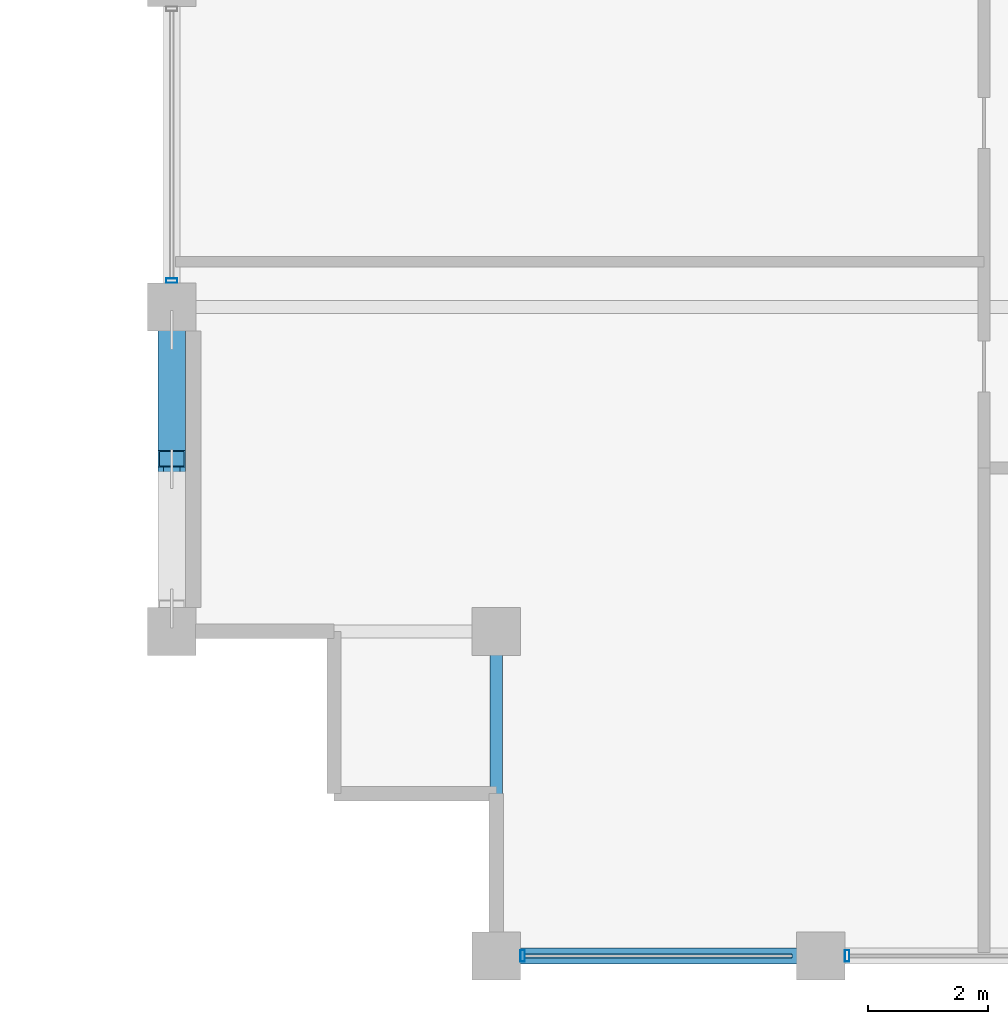
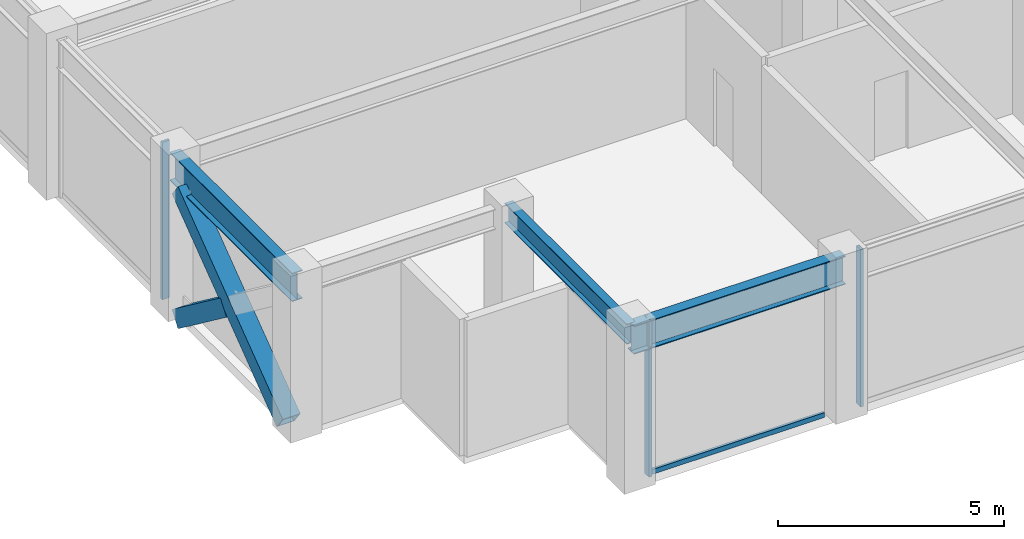
# One storey, part 2 of 28: 6 members, 3 beams, 2 elements without a shape of their own.
"""IFC4 building model written with IfcOpenShell, lengths in metres."""

from ifc_helpers import new_model, si_unit, direction, frame, origin, origin_2d, place, context, subcontext, project, spatial, hollow_rectangle, i_section, extrude, material, layer, layer_set, material_profile, profile_set, type_object, element, aggregate, save


model = new_model("IFC4")

# Units and contexts
model_context = context("Model", 3, precision=1e-05, world=origin(), true_north=direction((0.0, 1.0)))
body_context = subcontext(model_context, "Body", "Model", "MODEL_VIEW")
ifc_project = project(units=[si_unit("LENGTHUNIT", "METRE"), si_unit("AREAUNIT", "SQUARE_METRE"), si_unit("VOLUMEUNIT", "CUBIC_METRE"), si_unit("PLANEANGLEUNIT", "RADIAN"), si_unit("MASSUNIT", "GRAM", prefix="KILO")], contexts=[model_context])

# Site, building, storey
site_placement = place(None, origin())
site = spatial("IfcSite", under=ifc_project, at=site_placement, CompositionType="ELEMENT")
building_placement = place(site_placement, origin())
building = spatial("IfcBuilding", under=site, at=building_placement, Name="Surkhivell Harbour Commons", CompositionType="ELEMENT")
storey_placement = place(building_placement, frame((0.0, 0.0, 249.75)))
storey = spatial("IfcBuildingStorey", under=building, at=storey_placement, Name="L65", CompositionType="ELEMENT", Elevation=249.75)

# Beams
ifc_material_1 = material(Name="Steel S355", Category="steel")
ifc_material_profile_1 = material_profile(ifc_material_1, i_section(OverallWidth=0.2119140625, OverallDepth=0.5439453125, WebThickness=0.0126953125, FlangeThickness=0.021240234375, at=origin_2d()), Name="UB533x210x122")
ifc_profile_set_1 = profile_set([ifc_material_profile_1], Name="Steel S355")
beam_type_1 = type_object("IfcBeamType", Name="BM-GRD-533A", PredefinedType="BEAM", material=ifc_profile_set_1)
beam_1_placement = place(storey_placement, frame((-21.60009765625, -21.60009765625, 3.97802734375), z_axis=(0.0, 1.0, 0.0), x_axis=(-1.0, 0.0, 0.0)))
element("IfcBeam", 1, at=beam_1_placement, inside=storey, type_object=beam_type_1, Name="L65 Floor Girder (-21.6,-21.6)", PredefinedType="BEAM", context=body_context, shape_type="SweptSolid", body=[
    extrude(i_section(OverallWidth=0.2119140625, OverallDepth=0.5439453125, WebThickness=0.0126953125, FlangeThickness=0.021240234375, at=origin_2d()), origin(), (0.0, 0.0, 1.0), 5.400146484375),
])
ifc_material_profile_2 = material_profile(ifc_material_1, i_section(OverallWidth=0.26806640625, OverallDepth=0.77001953125, WebThickness=0.015625, FlangeThickness=0.025390625, at=origin_2d()), Name="UB762x267x197")
ifc_profile_set_2 = profile_set([ifc_material_profile_2], Name="Steel S355")
beam_type_2 = type_object("IfcBeamType", Name="BM-SPN-762", PredefinedType="SPANDREL", material=ifc_profile_set_2)
beam_2_placement = place(storey_placement, frame((-27.0, -16.199951171875, 3.864990234375), z_axis=(0.0, 1.0, 0.0), x_axis=(-1.0, 0.0, 0.0)))
element("IfcBeam", 2, at=beam_2_placement, inside=storey, type_object=beam_type_2, Name="L65 Tube Spandrel (-27.0,-16.2)", PredefinedType="SPANDREL", context=body_context, shape_type="SweptSolid", body=[
    extrude(i_section(OverallWidth=0.26806640625, OverallDepth=0.77001953125, WebThickness=0.015625, FlangeThickness=0.025390625, at=origin_2d()), origin(), (0.0, 0.0, 1.0), 5.39990234375),
])
beam_3_placement = place(storey_placement, frame((-21.60009765625, -21.60009765625, 3.864990234375), z_axis=(1.0, 0.0, 0.0), x_axis=(0.0, 1.0, 0.0)))
element("IfcBeam", 3, at=beam_3_placement, inside=storey, type_object=beam_type_2, Name="L65 Tube Spandrel (-21.6,-21.6)", PredefinedType="SPANDREL", context=body_context, shape_type="SweptSolid", body=[
    extrude(i_section(OverallWidth=0.26806640625, OverallDepth=0.77001953125, WebThickness=0.015625, FlangeThickness=0.025390625, at=origin_2d()), origin(), (0.0, 0.0, 1.0), 5.400146484375),
])

# Curtain wall, members
ifc_material_2 = material(Name="Anodised pale-metal aluminium and insulated glazing", Category="aluminium")
ifc_layer = layer(ifc_material_2, 0.18994140625)
ifc_layer_set = layer_set([ifc_layer], Name="Anodised pale-metal aluminium and insulated glazing")
curtain_wall_type = type_object("IfcCurtainWallType", Name="CW-SYS-Z3", PredefinedType="NOTDEFINED", material=ifc_layer_set)
curtain_wall_1_placement = place(storey_placement, origin())
curtain_wall_1 = element("IfcCurtainWall", 4, at=curtain_wall_1_placement, inside=storey, type_object=curtain_wall_type, Name="L65 Curtain Wall CW-L65-E00S1", PredefinedType="NOTDEFINED")
ifc_material_3 = material(Name="Anodised pale-metal aluminium alloy 6063-T6", Category="aluminium")
ifc_material_profile_3 = material_profile(ifc_material_3, hollow_rectangle(XDim=0.074951171875, YDim=0.18994140625, WallThickness=0.00390625, at=origin_2d()), Name="ALU-MULL-75x190")
ifc_profile_set_3 = profile_set([ifc_material_profile_3], Name="Anodised pale-metal aluminium alloy 6063-T6")
member_type_1 = type_object("IfcMemberType", Name="CWM-190", PredefinedType="MULLION", material=ifc_profile_set_3)
member_1_placement = place(storey_placement, frame((-21.160400390625, -21.60009765625, 0.0), z_axis=(0.0, 0.0, 1.0), x_axis=(1.0, 0.0, 0.0)))
member_1 = element("IfcMember", 5, at=member_1_placement, type_object=member_type_1, Name="CW-Z3 mullion 1", PredefinedType="MULLION", context=body_context, shape_type="SweptSolid", body=[
    extrude(hollow_rectangle(XDim=0.074951171875, YDim=0.18994140625, WallThickness=0.00390625, at=origin_2d()), origin(), (0.0, 0.0, 1.0), 4.25),
])
member_2_placement = place(storey_placement, frame((-15.760498046875, -21.60009765625, 0.0), z_axis=(0.0, 0.0, 1.0), x_axis=(1.0, 0.0, 0.0)))
member_2 = element("IfcMember", 6, at=member_2_placement, type_object=member_type_1, Name="CW-Z3 mullion 2", PredefinedType="MULLION", context=body_context, shape_type="SweptSolid", body=[
    extrude(hollow_rectangle(XDim=0.074951171875, YDim=0.18994140625, WallThickness=0.00390625, at=origin_2d()), origin(), (0.0, 0.0, 1.0), 4.25),
])

# Curtain wall, member
curtain_wall_2_placement = place(storey_placement, origin())
curtain_wall_2 = element("IfcCurtainWall", 7, at=curtain_wall_2_placement, inside=storey, type_object=curtain_wall_type, Name="L65 Curtain Wall CW-L65-E12S1", PredefinedType="NOTDEFINED")
member_3_placement = place(storey_placement, frame((-27.0, -10.360595703125, 0.0), z_axis=(0.0, 0.0, 1.0), x_axis=(0.0, -1.0, 0.0)))
member_3 = element("IfcMember", 8, at=member_3_placement, type_object=member_type_1, Name="CW-Z3 mullion 7", PredefinedType="MULLION", context=body_context, shape_type="SweptSolid", body=[
    extrude(hollow_rectangle(XDim=0.074951171875, YDim=0.18994140625, WallThickness=0.00390625, at=origin_2d()), origin(), (0.0, 0.0, 1.0), 4.25),
])
aggregate(curtain_wall_2, [member_3])

# Member
ifc_material_4 = material(Name="Champagne anodised aluminium alloy 6063-T6", Category="aluminium")
ifc_material_profile_4 = material_profile(ifc_material_4, hollow_rectangle(XDim=0.070068359375, YDim=0.1298828125, WallThickness=0.00341796875, at=origin_2d()), Name="ALU-TRAN-70x130")
ifc_profile_set_4 = profile_set([ifc_material_profile_4], Name="Champagne anodised aluminium alloy 6063-T6")
member_type_2 = type_object("IfcMemberType", Name="CWT-130", PredefinedType="USERDEFINED", material=ifc_profile_set_4)
member_4_placement = place(storey_placement, frame((-21.123046875, -21.60009765625, 0.06494140625), z_axis=(1.0, 0.0, 0.0), x_axis=(0.0, 1.0, 0.0)))
member_4 = element("IfcMember", 9, at=member_4_placement, type_object=member_type_2, Name="CW-Z3 transom 1.1", ObjectType="TRANSOM", PredefinedType="USERDEFINED", context=body_context, shape_type="SweptSolid", body=[
    extrude(hollow_rectangle(XDim=0.070068359375, YDim=0.1298828125, WallThickness=0.00341796875, at=origin_2d()), origin(), (0.0, 0.0, 1.0), 4.446044921875),
])

aggregate(curtain_wall_1, [member_1, member_4, member_2])

# Members
ifc_material_5 = material(Name="Steel S460", Category="steel")
ifc_material_profile_5 = material_profile(ifc_material_5, hollow_rectangle(XDim=0.449951171875, YDim=0.449951171875, WallThickness=0.02197265625, at=origin_2d()), Name="SHS450x450x22")
ifc_profile_set_5 = profile_set([ifc_material_profile_5], Name="Steel S460")
member_type_3 = type_object("IfcMemberType", Name="MEM-BRC-SHS450", PredefinedType="BRACE", material=ifc_profile_set_5)
member_5_placement = place(storey_placement, frame((-27.0, -15.81494140625, 0.008056640625), z_axis=(0.0, 0.799716526724, 0.600377778473), x_axis=(-1.0, 0.0, 0.0)))
element("IfcMember", 10, at=member_5_placement, inside=storey, type_object=member_type_3, Name="L65 Perimeter Mega-Brace MB- 10", PredefinedType="BRACE", context=body_context, shape_type="SweptSolid", body=[
    extrude(hollow_rectangle(XDim=0.449951171875, YDim=0.449951171875, WallThickness=0.02197265625, at=origin_2d()), origin(), (0.0, 0.0, 1.0), 5.789306640625),
])
member_6_placement = place(storey_placement, frame((-27.0, -11.18505859375, 0.008056640625), z_axis=(0.0, -0.799748384904, 0.600335340326), x_axis=(1.0, 0.0, 0.0)))
element("IfcMember", 11, at=member_6_placement, inside=storey, type_object=member_type_3, Name="L65 Perimeter Mega-Brace MB- 11", PredefinedType="BRACE", context=body_context, shape_type="SweptSolid", body=[
    extrude(hollow_rectangle(XDim=0.449951171875, YDim=0.449951171875, WallThickness=0.02197265625, at=origin_2d()), origin(), (0.0, 0.0, 1.0), 2.6787109375),
])

save(model, "model.ifc")
